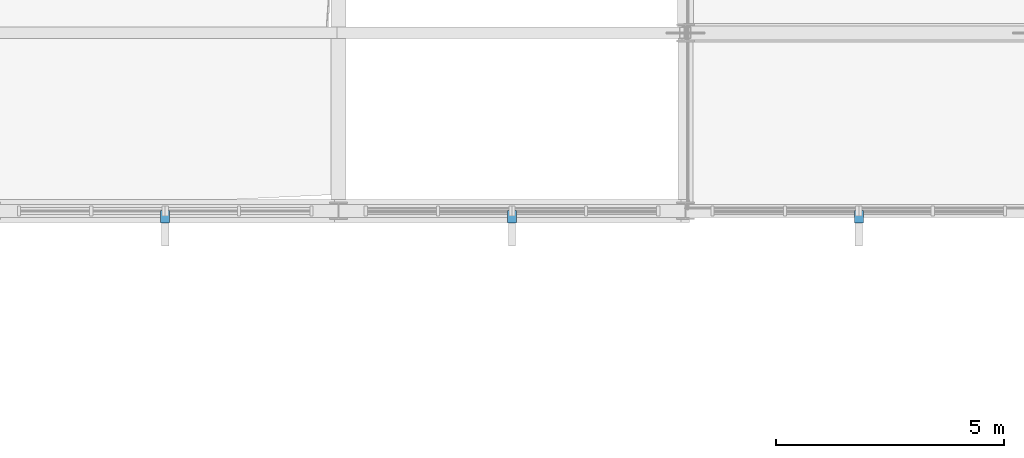
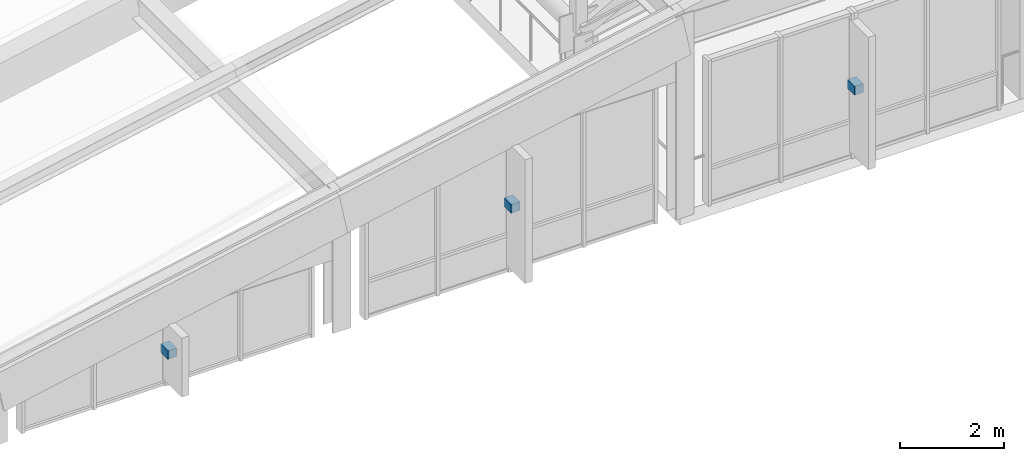
# One storey, part 58 of 73: 3 discrete accessories.
"""IFC4 building model written with IfcOpenShell, lengths in metres."""

from ifc_helpers import new_model, si_unit, direction, frame, origin, origin_2d, place, context, subcontext, project, spatial, rectangle, extrude, material, type_object, element, save


model = new_model("IFC4")

# Units and contexts
model_context = context("Model", 3, precision=1e-05, world=origin(), true_north=direction((0.0, 1.0)))
body_context = subcontext(model_context, "Body", "Model", "MODEL_VIEW")
ifc_project = project(units=[si_unit("LENGTHUNIT", "METRE"), si_unit("AREAUNIT", "SQUARE_METRE"), si_unit("VOLUMEUNIT", "CUBIC_METRE"), si_unit("PLANEANGLEUNIT", "RADIAN"), si_unit("MASSUNIT", "GRAM", prefix="KILO")], contexts=[model_context])

# Site, building, storey
site_placement = place(None, origin())
site = spatial("IfcSite", under=ifc_project, at=site_placement, CompositionType="ELEMENT")
building_placement = place(site_placement, origin())
building = spatial("IfcBuilding", under=site, at=building_placement, Name="Vervanel Yard Central Library", CompositionType="ELEMENT")
storey_placement = place(building_placement, frame((0.0, 0.0, 12.780029296875)))
storey = spatial("IfcBuildingStorey", under=building, at=storey_placement, Name="L03", CompositionType="ELEMENT", Elevation=12.780029296875)

# Discrete accessories
ifc_material = material(Name="Steel ASTM A572 Grade 50", Category="steel")
discrete_accessory_type = type_object("IfcDiscreteAccessoryType", Name="Stainless Solar Fin Fixing Bracket", PredefinedType="BRACKET", material=ifc_material)
for number, where, z_axis, x_axis, name in (
    (1, (111.800048828125, 43.070068359375, 0.740234375), (0.0, 0.0, 1.0), (1.0, 0.0, 0.0), "L03 Solar Fin Bracket 461"),
    (2, (119.39990234375, 43.070068359375, 1.49853515625), (0.0, 0.0, 1.0), (1.0, 0.0, 0.0), "L03 Solar Fin Bracket 462"),
    (3, (127.0, 43.070068359375, 1.60009765625), (0.0, 0.0, 1.0), (1.0, 0.0, 0.0), "L03 Solar Fin Bracket 463"),
):
    element("IfcDiscreteAccessory", number, at=place(storey_placement, frame(where, z_axis=z_axis, x_axis=x_axis)), inside=storey, type_object=discrete_accessory_type, Name=name, PredefinedType="BRACKET", context=body_context, shape_type="SweptSolid", body=[
        extrude(rectangle(XDim=0.199951171875, YDim=0.280029296875, at=origin_2d()), origin(), (0.0, 0.0, 1.0), 0.199951171875),
    ])

save(model, "model.ifc")
